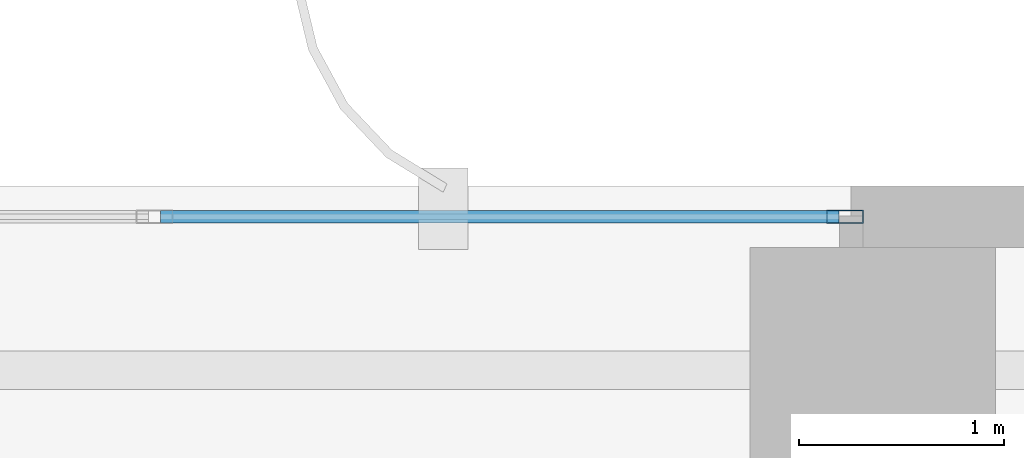
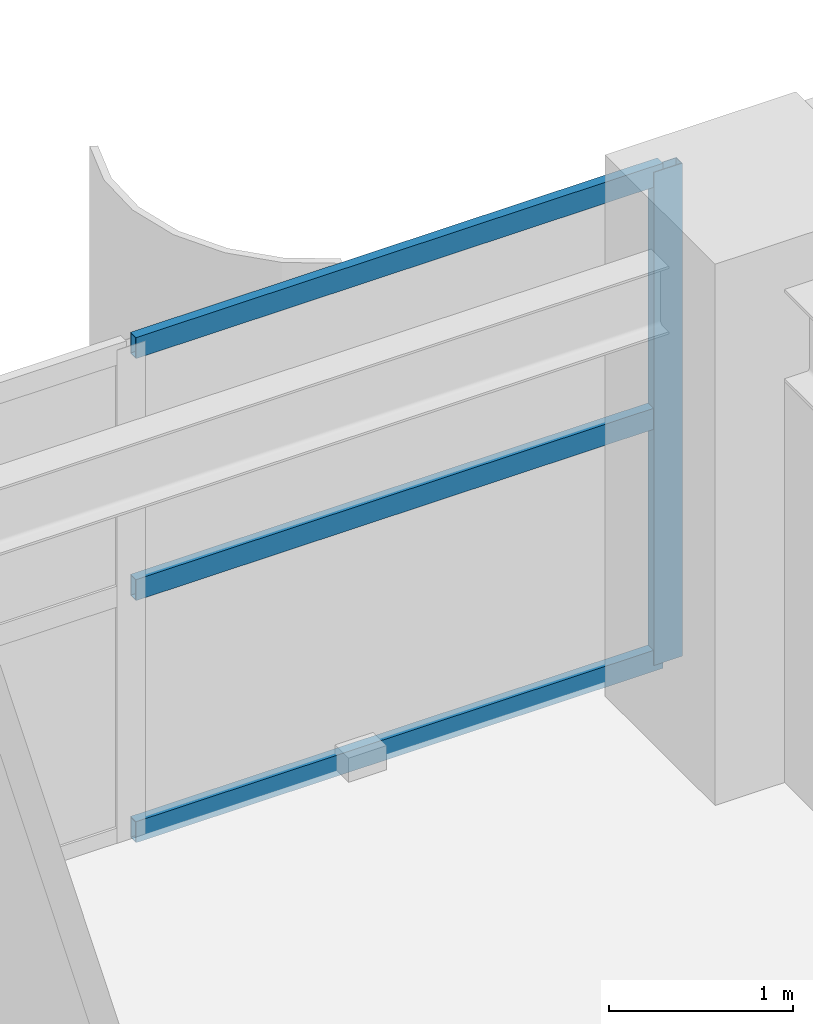
# One storey, part 11 of 23: 4 members, 1 element without a shape of its own.
"""IFC4 building model written with IfcOpenShell, lengths in metres."""

from ifc_helpers import new_model, si_unit, direction, frame, origin, origin_2d, place, context, subcontext, project, spatial, hollow_rectangle, extrude, source, transform, mapped, material, layer, layer_set, material_profile, profile_set, type_object, element, aggregate, save


model = new_model("IFC4")

# Units and contexts
model_context = context("Model", 3, precision=1e-05, world=origin(), true_north=direction((0.0, 1.0)))
body_context = subcontext(model_context, "Body", "Model", "MODEL_VIEW")
ifc_project = project(units=[si_unit("LENGTHUNIT", "METRE"), si_unit("AREAUNIT", "SQUARE_METRE"), si_unit("VOLUMEUNIT", "CUBIC_METRE"), si_unit("PLANEANGLEUNIT", "RADIAN"), si_unit("MASSUNIT", "GRAM", prefix="KILO")], contexts=[model_context])

# Site, building, storey
site_placement = place(None, origin())
site = spatial("IfcSite", under=ifc_project, at=site_placement, CompositionType="ELEMENT")
building_placement = place(site_placement, origin())
building = spatial("IfcBuilding", under=site, at=building_placement, Name="Khoralis Quay Care Tower", CompositionType="ELEMENT")
storey_placement = place(building_placement, frame((0.0, 0.0, 72.89990234375)))
storey = spatial("IfcBuildingStorey", under=building, at=storey_placement, Name="L19", CompositionType="ELEMENT", Elevation=72.89990234375)

# Curtain wall, members
ifc_material = material(Name="Pale anodised aluminium", Category="aluminium")
ifc_layer = layer(ifc_material, 0.179931640625)
ifc_layer_set = layer_set([ifc_layer], Name="Pale anodised aluminium")
curtain_wall_type = type_object("IfcCurtainWallType", Name="CW-SYS-Z1", PredefinedType="NOTDEFINED", material=ifc_layer_set)
curtain_wall_placement = place(storey_placement, origin())
curtain_wall = element("IfcCurtainWall", 1, at=curtain_wall_placement, inside=storey, type_object=curtain_wall_type, Name="L19 Unitised Curtain Wall CW-L19-P1-E10", PredefinedType="NOTDEFINED")
ifc_material_profile_1 = material_profile(ifc_material, hollow_rectangle(XDim=0.06494140625, YDim=0.179931640625, WallThickness=0.00390625, at=origin_2d()), Name="Pale anodised aluminium")
ifc_profile_set_1 = profile_set([ifc_material_profile_1], Name="Pale anodised aluminium")
member_type_1 = type_object("IfcMemberType", Name="CW-MUL-180", PredefinedType="MULLION", material=ifc_profile_set_1)
shared_shape_1 = source(origin(), body_context, "Body", "SweptSolid", [
    extrude(hollow_rectangle(XDim=0.06494140625, YDim=0.179931640625, WallThickness=0.00390625, at=origin_2d()), origin(), (0.0, 0.0, 1.0), 3.280029296875),
])
member_1_placement = place(storey_placement, frame((30.764892578125, 47.85009765625, 0.0), z_axis=(0.0, 0.0, 1.0), x_axis=(0.0, -1.0, 0.0)))
member_1 = element("IfcMember", 2, at=member_1_placement, type_object=member_type_1, Name="CW1 mullion 1", PredefinedType="MULLION", context=body_context, shape_type="MappedRepresentation", body=[
    mapped(shared_shape_1, transform((0.0, 0.0, 0.0), scale=1.0)),
])
ifc_material_profile_2 = material_profile(ifc_material, hollow_rectangle(XDim=0.06005859375, YDim=0.139892578125, WallThickness=0.00390625, at=origin_2d()), Name="Pale anodised aluminium")
ifc_profile_set_2 = profile_set([ifc_material_profile_2], Name="Pale anodised aluminium")
member_type_2 = type_object("IfcMemberType", Name="CW-TRN-140", PredefinedType="USERDEFINED", material=ifc_profile_set_2)
shared_shape_2 = source(origin(), body_context, "Body", "SweptSolid", [
    extrude(hollow_rectangle(XDim=0.06005859375, YDim=0.139892578125, WallThickness=0.00390625, at=origin_2d()), origin(), (0.0, 0.0, 1.0), 3.317138671875),
])
member_2_placement = place(storey_placement, frame((30.735107421875, 47.85009765625, 0.030029296875), z_axis=(-1.0, 0.0, 0.0), x_axis=(0.0, -1.0, 0.0)))
member_2 = element("IfcMember", 3, at=member_2_placement, type_object=member_type_2, Name="CW1 transom 1.1", ObjectType="TRANSOM", PredefinedType="USERDEFINED", context=body_context, shape_type="MappedRepresentation", body=[
    mapped(shared_shape_2, transform((0.0, 0.0, 0.0), scale=1.0)),
])
member_3_placement = place(storey_placement, frame((30.735107421875, 47.85009765625, 1.64013671875), z_axis=(-1.0, 0.0, 0.0), x_axis=(0.0, -1.0, 0.0)))
member_3 = element("IfcMember", 4, at=member_3_placement, type_object=member_type_2, Name="CW1 transom 1.2", ObjectType="TRANSOM", PredefinedType="USERDEFINED", context=body_context, shape_type="MappedRepresentation", body=[
    mapped(shared_shape_2, transform((0.0, 0.0, 0.0), scale=1.0)),
])
member_4_placement = place(storey_placement, frame((30.735107421875, 47.85009765625, 3.25), z_axis=(-1.0, 0.0, 0.0), x_axis=(0.0, -1.0, 0.0)))
member_4 = element("IfcMember", 5, at=member_4_placement, type_object=member_type_2, Name="CW1 transom 1.3", ObjectType="TRANSOM", PredefinedType="USERDEFINED", context=body_context, shape_type="MappedRepresentation", body=[
    mapped(shared_shape_2, transform((0.0, 0.0, 0.0), scale=1.0)),
])
aggregate(curtain_wall, [member_1, member_2, member_3, member_4])

save(model, "model.ifc")
